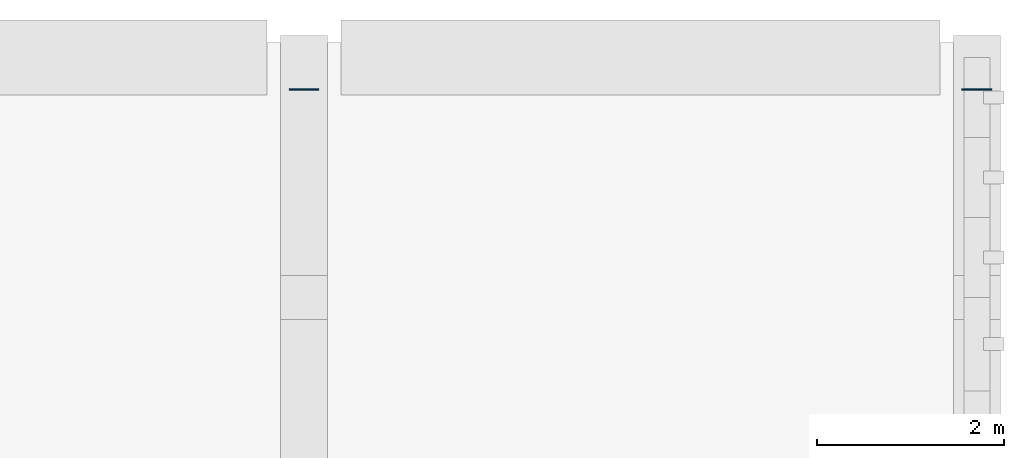
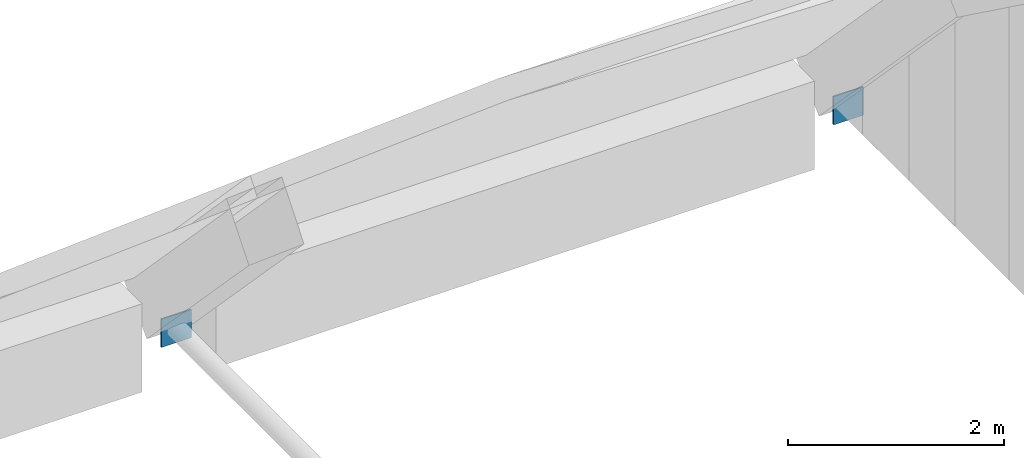
# One storey, part 12 of 16: 2 plates.
"""IFC4 building model written with IfcOpenShell, lengths in metres."""

from ifc_helpers import new_model, si_unit, direction, frame, origin, origin_2d, place, context, subcontext, project, spatial, rectangle, extrude, material, layer, layer_set, type_object, element, save


model = new_model("IFC4")

# Units and contexts
model_context = context("Model", 3, precision=1e-05, world=origin(), true_north=direction((0.0, 1.0)))
body_context = subcontext(model_context, "Body", "Model", "MODEL_VIEW")
ifc_project = project(units=[si_unit("LENGTHUNIT", "METRE"), si_unit("AREAUNIT", "SQUARE_METRE"), si_unit("VOLUMEUNIT", "CUBIC_METRE"), si_unit("PLANEANGLEUNIT", "RADIAN"), si_unit("MASSUNIT", "GRAM", prefix="KILO")], contexts=[model_context])

# Site, building, storey
site_placement = place(None, origin())
site = spatial("IfcSite", under=ifc_project, at=site_placement, CompositionType="ELEMENT")
building_placement = place(site_placement, origin())
building = spatial("IfcBuilding", under=site, at=building_placement, Name="Sardonyx Promenade Sports Hall", CompositionType="ELEMENT")
storey_placement = place(building_placement, frame((0.0, 0.0, 24.800048828125)))
storey = spatial("IfcBuildingStorey", under=building, at=storey_placement, Name="RF", CompositionType="ELEMENT", Elevation=24.800048828125)

# Plates
ifc_material = material(Name="Steel S355JR", Category="steel")
ifc_layer = layer(ifc_material, 0.01611328125)
ifc_layer_set = layer_set([ifc_layer], Name="Plt_EndCap_EC2")
plate_type = type_object("IfcPlateType", Name="Plt_EndCap_EC2", PredefinedType="USERDEFINED", material=ifc_layer_set)
for number, where, z_axis, x_axis, name in (
    (1, (72.0, 104.05810546875, -4.60986328125), (0.0, 0.0, 1.0), (1.0, 0.0, 0.0), "Tie-rod end-cap plate V1 11 N"),
    (2, (79.199951171875, 104.05810546875, -4.60986328125), (0.0, 0.0, 1.0), (1.0, 0.0, 0.0), "Tie-rod end-cap plate V1 12 N"),
):
    element("IfcPlate", number, at=place(storey_placement, frame(where, z_axis=z_axis, x_axis=x_axis)), inside=storey, type_object=plate_type, Name=name, ObjectType="END CAP PLATE", PredefinedType="USERDEFINED", context=body_context, shape_type="SweptSolid", body=[
        extrude(rectangle(XDim=0.320068359375, YDim=0.01611328125, at=origin_2d()), origin(), (0.0, 0.0, 1.0), 0.320068359375),
    ])

save(model, "model.ifc")
